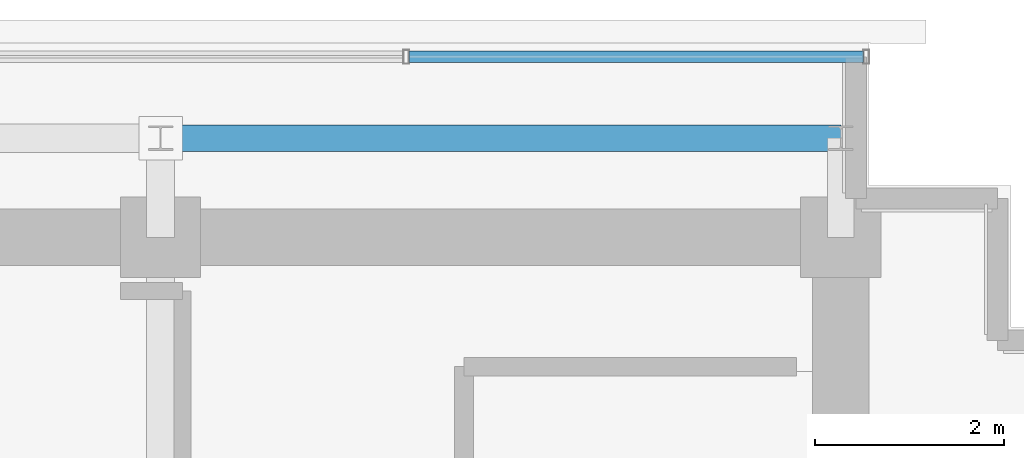
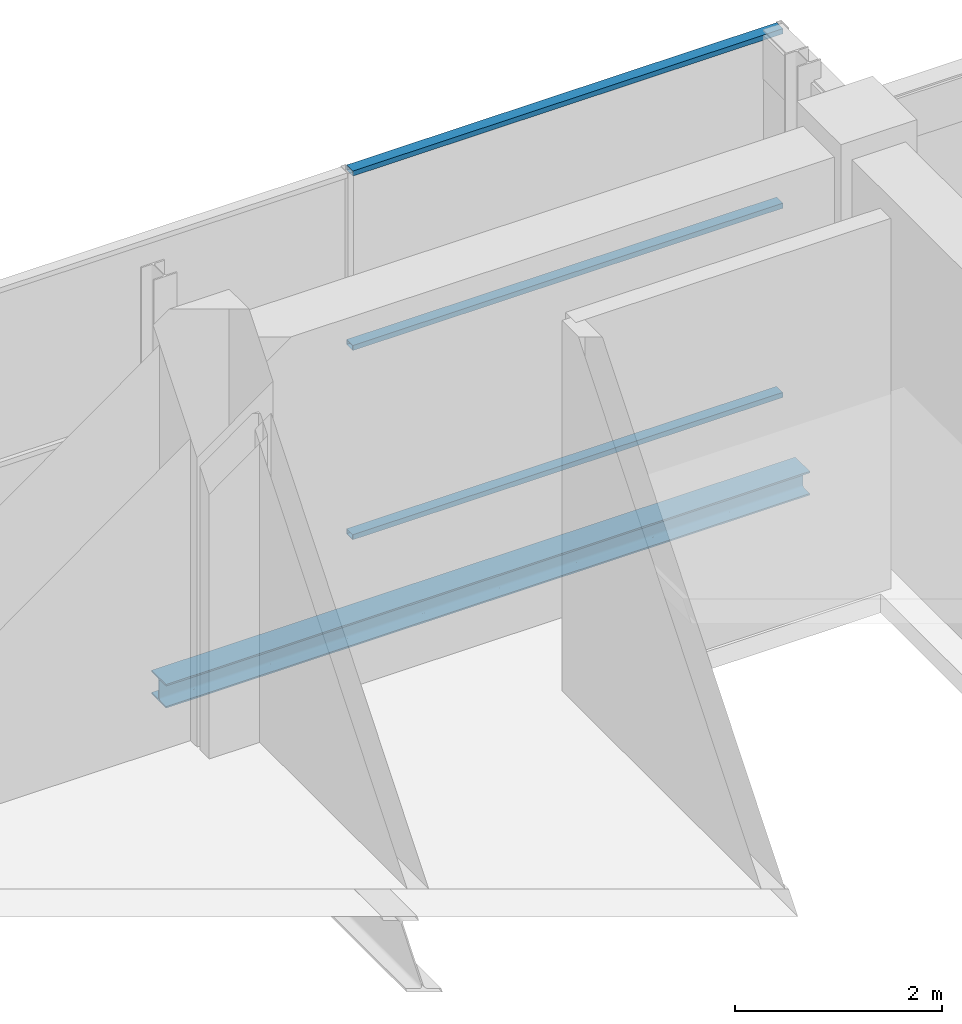
# One storey, part 18 of 27: 3 members, 1 beam, 1 element without a shape of its own.
"""IFC4 building model written with IfcOpenShell, lengths in metres."""

from ifc_helpers import new_model, si_unit, direction, frame, origin, origin_2d, place, context, subcontext, project, spatial, hollow_rectangle, i_section, extrude, source, transform, mapped, material, layer, layer_set, material_profile, profile_set, type_object, element, aggregate, save


model = new_model("IFC4")

# Units and contexts
model_context = context("Model", 3, precision=1e-05, world=origin(), true_north=direction((0.0, 1.0)))
body_context = subcontext(model_context, "Body", "Model", "MODEL_VIEW")
ifc_project = project(units=[si_unit("LENGTHUNIT", "METRE"), si_unit("AREAUNIT", "SQUARE_METRE"), si_unit("VOLUMEUNIT", "CUBIC_METRE"), si_unit("PLANEANGLEUNIT", "RADIAN"), si_unit("MASSUNIT", "GRAM", prefix="KILO")], contexts=[model_context])

# Site, building, storey
site_placement = place(None, origin())
site = spatial("IfcSite", under=ifc_project, at=site_placement, CompositionType="ELEMENT")
building_placement = place(site_placement, origin())
building = spatial("IfcBuilding", under=site, at=building_placement, Name="Zarnakvel Exchange Tower", CompositionType="ELEMENT")
storey_placement = place(building_placement, frame((0.0, 0.0, 294.60009765625)))
storey = spatial("IfcBuildingStorey", under=building, at=storey_placement, Name="Crown L82", CompositionType="ELEMENT", Elevation=294.60009765625)

# Beam
ifc_material_1 = material(Name="Steel S355", Category="steel")
ifc_material_profile_1 = material_profile(ifc_material_1, i_section(OverallWidth=0.280029296875, OverallDepth=0.280029296875, WebThickness=0.010498046875, FlangeThickness=0.01806640625, FilletRadius=0.02392578125, at=origin_2d()))
ifc_profile_set_1 = profile_set([ifc_material_profile_1], Name="Steel S355")
beam_type = type_object("IfcBeamType", Name="SP-04", PredefinedType="SPANDREL", material=ifc_profile_set_1)
beam_placement = place(storey_placement, frame((7.199951171875, 14.550048828125, -0.360107421875), z_axis=(1.0, 0.0, 0.0), x_axis=(0.0, 1.0, 0.0)))
element("IfcBeam", 1, at=beam_placement, inside=storey, type_object=beam_type, Name="Crown L82 Tower E-W Frame Beam", PredefinedType="SPANDREL", context=body_context, shape_type="SweptSolid", body=[
    extrude(i_section(OverallWidth=0.280029296875, OverallDepth=0.280029296875, WebThickness=0.010498046875, FlangeThickness=0.01806640625, FilletRadius=0.02392578125, at=origin_2d()), origin(), (0.0, 0.0, 1.0), 7.199951171875),
])

# Curtain wall, members
ifc_material_2 = material(Name="Architectural Bronze Anodised Aluminium", Category="aluminium")
ifc_layer = layer(ifc_material_2, 0.14990234375)
ifc_layer_set = layer_set([ifc_layer], Name="Architectural Bronze Anodised Aluminium")
curtain_wall_type = type_object("IfcCurtainWallType", Name="CW-07", PredefinedType="NOTDEFINED", material=ifc_layer_set)
curtain_wall_placement = place(storey_placement, origin())
curtain_wall = element("IfcCurtainWall", 2, at=curtain_wall_placement, inside=storey, type_object=curtain_wall_type, Name="Crown L82 Curtain Wall CW-Crown L82-N (CW-07)", PredefinedType="NOTDEFINED")
ifc_material_profile_2 = material_profile(ifc_material_2, hollow_rectangle(XDim=0.1201171875, YDim=0.06005859375, WallThickness=0.00390625, at=origin_2d()))
ifc_profile_set_2 = profile_set([ifc_material_profile_2], Name="Architectural Bronze Anodised Aluminium")
member_type = type_object("IfcMemberType", Name="CWT-07", PredefinedType="USERDEFINED", material=ifc_profile_set_2)
shared_shape = source(origin(), body_context, "Body", "SweptSolid", [
    extrude(hollow_rectangle(XDim=0.1201171875, YDim=0.06005859375, WallThickness=0.00390625, at=origin_2d()), origin(), (0.0, 0.0, 1.0), 4.809814453125),
])
member_1_placement = place(storey_placement, frame((9.830078125, 15.409912109375, 0.02978515625), z_axis=(1.0, 0.0, 0.0), x_axis=(0.0, 1.0, 0.0)))
member_1 = element("IfcMember", 3, at=member_1_placement, type_object=member_type, Name="CW-07 transom 6.1", ObjectType="TRANSOM", PredefinedType="USERDEFINED", context=body_context, shape_type="MappedRepresentation", body=[
    mapped(shared_shape, transform((0.0, 0.0, 0.0), x_axis=(1.0, 0.0, 0.0), y_axis=(0.0, 1.0, 0.0), z_axis=(0.0, 0.0, 1.0), scale=1.0)),
])
member_2_placement = place(storey_placement, frame((9.830078125, 15.409912109375, 2.26708984375), z_axis=(1.0, 0.0, 0.0), x_axis=(0.0, 1.0, 0.0)))
member_2 = element("IfcMember", 4, at=member_2_placement, type_object=member_type, Name="CW-07 transom 6.2", ObjectType="TRANSOM", PredefinedType="USERDEFINED", context=body_context, shape_type="MappedRepresentation", body=[
    mapped(shared_shape, transform((0.0, 0.0, 0.0), x_axis=(1.0, 0.0, 0.0), y_axis=(0.0, 1.0, 0.0), z_axis=(0.0, 0.0, 1.0), scale=1.0)),
])
member_3_placement = place(storey_placement, frame((9.830078125, 15.409912109375, 4.329833984375), z_axis=(1.0, 0.0, 0.0), x_axis=(0.0, 1.0, 0.0)))
member_3 = element("IfcMember", 5, at=member_3_placement, type_object=member_type, Name="CW-07 transom 6.3", ObjectType="TRANSOM", PredefinedType="USERDEFINED", context=body_context, shape_type="MappedRepresentation", body=[
    mapped(shared_shape, transform((0.0, 0.0, 0.0), x_axis=(1.0, 0.0, 0.0), y_axis=(0.0, 1.0, 0.0), z_axis=(0.0, 0.0, 1.0), scale=1.0)),
])
aggregate(curtain_wall, [member_1, member_2, member_3])

save(model, "model.ifc")
